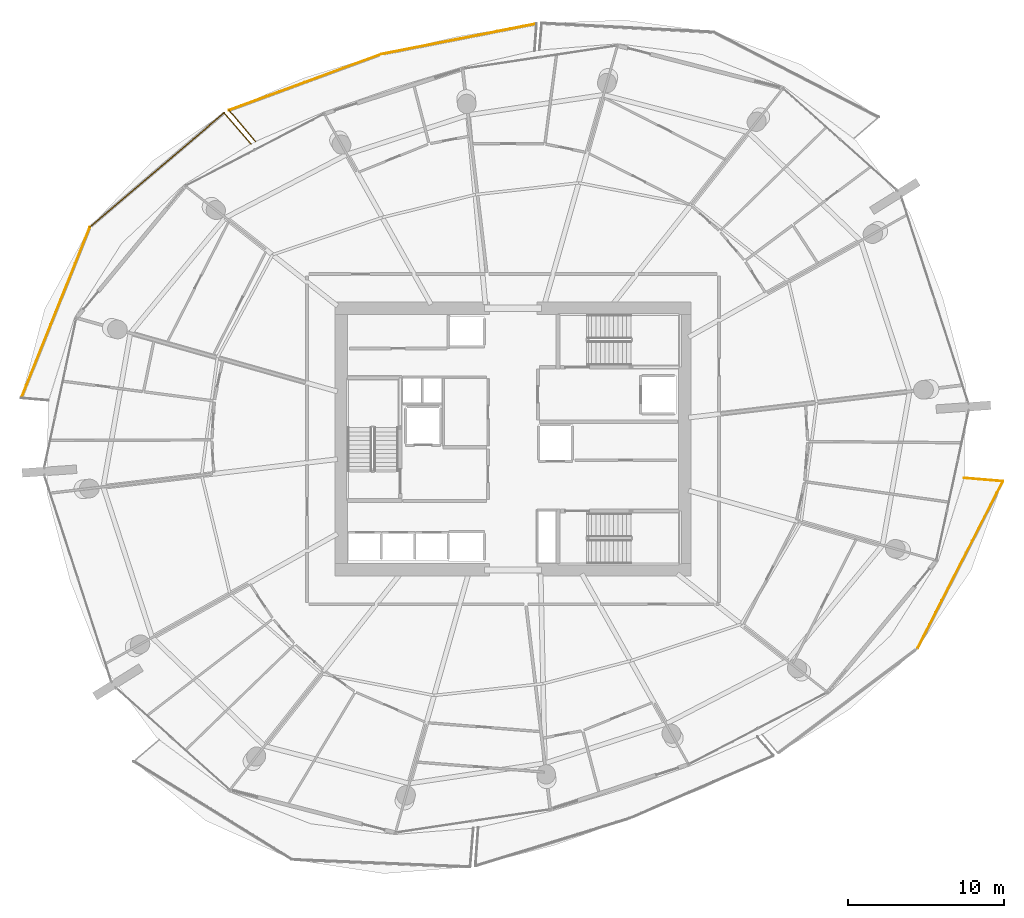
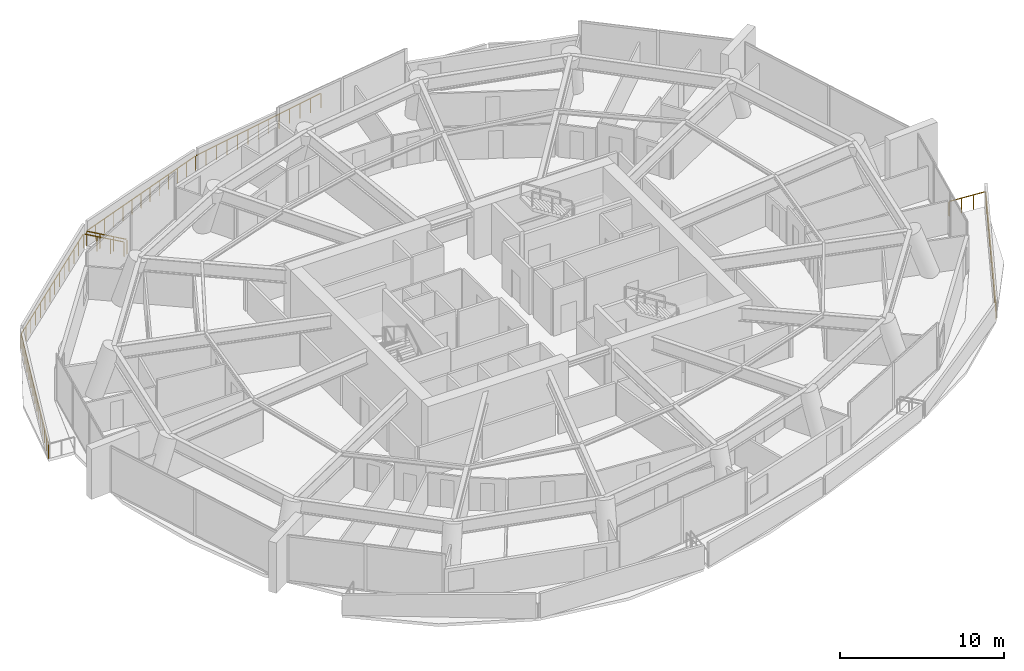
# One storey, part 21 of 23: 8 railings.
"""IFC4 building model written with IfcOpenShell, lengths in metres."""

from ifc_helpers import new_model, si_unit, direction, frame, origin, origin_2d, place, context, subcontext, project, spatial, rectangle, extrude, material, type_object, element, save


model = new_model("IFC4")

# Units and contexts
model_context = context("Model", 3, precision=1e-05, world=origin(), true_north=direction((0.0, 1.0)))
body_context = subcontext(model_context, "Body", "Model", "MODEL_VIEW")
ifc_project = project(units=[si_unit("LENGTHUNIT", "METRE"), si_unit("AREAUNIT", "SQUARE_METRE"), si_unit("VOLUMEUNIT", "CUBIC_METRE"), si_unit("PLANEANGLEUNIT", "RADIAN"), si_unit("MASSUNIT", "GRAM", prefix="KILO")], contexts=[model_context])

# Site, building, storey
site_placement = place(None, origin())
site = spatial("IfcSite", under=ifc_project, at=site_placement, CompositionType="ELEMENT")
building_placement = place(site_placement, origin())
building = spatial("IfcBuilding", under=site, at=building_placement, Name="Kazma Halo Residences", CompositionType="ELEMENT")
storey_placement = place(building_placement, frame((0.0, 0.0, 112.64990234375)))
storey = spatial("IfcBuildingStorey", under=building, at=storey_placement, Name="L28", CompositionType="ELEMENT", Elevation=112.64990234375)

# Railings
ifc_material = material(Name="Aluminium AW-6063 T6 Brushed Cap Rail", Category="aluminium")
railing_type = type_object("IfcRailingType", Name="RLG-BAL-CAP-1120", PredefinedType="BALUSTRADE", material=ifc_material)
railing_1_placement = place(storey_placement, frame((49.936279296875, 68.685546875, 0.0)))
element("IfcRailing", 1, at=railing_1_placement, inside=storey, type_object=railing_type, Name="L28 NNW wave balcony guard 2", PredefinedType="BALUSTRADE", context=body_context, shape_type="SweptSolid", body=[
    extrude(rectangle(XDim=0.050048828125, YDim=0.050048828125, at=origin_2d()), frame((-0.041748046875, -0.00830078125, 1.09521484375), z_axis=(-0.981283048261, -0.192570971838, 0.0), x_axis=(0.192570971838, -0.981283048261, 0.0)), (0.0, 0.0, 1.0), 10.076416015625),
    extrude(rectangle(XDim=0.0400390625, YDim=0.0400390625, at=origin_2d()), origin(), (0.0, 0.0, 1.0), 1.05810546875),
    extrude(rectangle(XDim=0.0400390625, YDim=0.0400390625, at=origin_2d()), frame((-0.8310546875, -0.1630859375, 0.0)), (0.0, 0.0, 1.0), 1.05810546875),
    extrude(rectangle(XDim=0.0400390625, YDim=0.0400390625, at=origin_2d()), frame((-1.661865234375, -0.326171875, 0.0)), (0.0, 0.0, 1.0), 1.05810546875),
    extrude(rectangle(XDim=0.0400390625, YDim=0.0400390625, at=origin_2d()), frame((-2.49267578125, -0.4892578125, 0.0)), (0.0, 0.0, 1.0), 1.05810546875),
    extrude(rectangle(XDim=0.0400390625, YDim=0.0400390625, at=origin_2d()), frame((-3.32373046875, -0.65234375, 0.0)), (0.0, 0.0, 1.0), 1.05810546875),
    extrude(rectangle(XDim=0.0400390625, YDim=0.0400390625, at=origin_2d()), frame((-4.15478515625, -0.8154296875, 0.0)), (0.0, 0.0, 1.0), 1.05810546875),
    extrude(rectangle(XDim=0.0400390625, YDim=0.0400390625, at=origin_2d()), frame((-4.985595703125, -0.978515625, 0.0)), (0.0, 0.0, 1.0), 1.05810546875),
    extrude(rectangle(XDim=0.0400390625, YDim=0.0400390625, at=origin_2d()), frame((-5.81640625, -1.141357421875, 0.0)), (0.0, 0.0, 1.0), 1.05810546875),
    extrude(rectangle(XDim=0.0400390625, YDim=0.0400390625, at=origin_2d()), frame((-6.6474609375, -1.304443359375, 0.0)), (0.0, 0.0, 1.0), 1.05810546875),
    extrude(rectangle(XDim=0.0400390625, YDim=0.0400390625, at=origin_2d()), frame((-7.478515625, -1.467529296875, 0.0)), (0.0, 0.0, 1.0), 1.05810546875),
    extrude(rectangle(XDim=0.0400390625, YDim=0.0400390625, at=origin_2d()), frame((-8.309326171875, -1.630615234375, 0.0)), (0.0, 0.0, 1.0), 1.05810546875),
    extrude(rectangle(XDim=0.0400390625, YDim=0.0400390625, at=origin_2d()), frame((-9.14013671875, -1.793701171875, 0.0)), (0.0, 0.0, 1.0), 1.05810546875),
    extrude(rectangle(XDim=0.0400390625, YDim=0.0400390625, at=origin_2d()), frame((-9.97119140625, -1.956787109375, 0.0)), (0.0, 0.0, 1.0), 1.05810546875),
])
railing_2_placement = place(storey_placement, frame((39.965087890625, 66.728759765625, 0.0)))
element("IfcRailing", 2, at=railing_2_placement, inside=storey, type_object=railing_type, Name="L28 NNW wave balcony guard 3", PredefinedType="BALUSTRADE", context=body_context, shape_type="SweptSolid", body=[
    extrude(rectangle(XDim=0.050048828125, YDim=0.050048828125, at=origin_2d()), frame((-0.0400390625, -0.0146484375, 1.09521484375), z_axis=(-0.938355108391, -0.34567280853, 0.0), x_axis=(0.34567280853, -0.938355108391, 0.0)), (0.0, 0.0, 1.0), 10.34228515625),
    extrude(rectangle(XDim=0.0400390625, YDim=0.0400390625, at=origin_2d()), origin(), (0.0, 0.0, 1.0), 1.05810546875),
    extrude(rectangle(XDim=0.0400390625, YDim=0.0400390625, at=origin_2d()), frame((-0.8154296875, -0.30029296875, 0.0)), (0.0, 0.0, 1.0), 1.05810546875),
    extrude(rectangle(XDim=0.0400390625, YDim=0.0400390625, at=origin_2d()), frame((-1.630859375, -0.600830078125, 0.0)), (0.0, 0.0, 1.0), 1.05810546875),
    extrude(rectangle(XDim=0.0400390625, YDim=0.0400390625, at=origin_2d()), frame((-2.4462890625, -0.901123046875, 0.0)), (0.0, 0.0, 1.0), 1.05810546875),
    extrude(rectangle(XDim=0.0400390625, YDim=0.0400390625, at=origin_2d()), frame((-3.261474609375, -1.201416015625, 0.0)), (0.0, 0.0, 1.0), 1.05810546875),
    extrude(rectangle(XDim=0.0400390625, YDim=0.0400390625, at=origin_2d()), frame((-4.076904296875, -1.501953125, 0.0)), (0.0, 0.0, 1.0), 1.05810546875),
    extrude(rectangle(XDim=0.0400390625, YDim=0.0400390625, at=origin_2d()), frame((-4.892333984375, -1.80224609375, 0.0)), (0.0, 0.0, 1.0), 1.05810546875),
    extrude(rectangle(XDim=0.0400390625, YDim=0.0400390625, at=origin_2d()), frame((-5.707763671875, -2.1025390625, 0.0)), (0.0, 0.0, 1.0), 1.05810546875),
    extrude(rectangle(XDim=0.0400390625, YDim=0.0400390625, at=origin_2d()), frame((-6.523193359375, -2.403076171875, 0.0)), (0.0, 0.0, 1.0), 1.05810546875),
    extrude(rectangle(XDim=0.0400390625, YDim=0.0400390625, at=origin_2d()), frame((-7.33837890625, -2.703369140625, 0.0)), (0.0, 0.0, 1.0), 1.05810546875),
    extrude(rectangle(XDim=0.0400390625, YDim=0.0400390625, at=origin_2d()), frame((-8.15380859375, -3.003662109375, 0.0)), (0.0, 0.0, 1.0), 1.05810546875),
    extrude(rectangle(XDim=0.0400390625, YDim=0.0400390625, at=origin_2d()), frame((-8.96923828125, -3.30419921875, 0.0)), (0.0, 0.0, 1.0), 1.05810546875),
    extrude(rectangle(XDim=0.0400390625, YDim=0.0400390625, at=origin_2d()), frame((-9.78466796875, -3.6044921875, 0.0)), (0.0, 0.0, 1.0), 1.05810546875),
])
railing_3_placement = place(storey_placement, frame((30.180419921875, 63.124267578125, 0.0)))
element("IfcRailing", 3, at=railing_3_placement, inside=storey, type_object=railing_type, Name="L28 NNW wave balcony guard 4", PredefinedType="BALUSTRADE", context=body_context, shape_type="SweptSolid", body=[
    extrude(rectangle(XDim=0.050048828125, YDim=0.050048828125, at=origin_2d()), frame((0.02734375, -0.032470703125, 1.09521484375), z_axis=(0.644719824493, -0.76441896098, 0.0), x_axis=(0.76441896098, 0.644719824493, 0.0)), (0.0, 0.0, 1.0), 2.539794921875),
    extrude(rectangle(XDim=0.0400390625, YDim=0.0400390625, at=origin_2d()), origin(), (0.0, 0.0, 1.0), 1.05810546875),
    extrude(rectangle(XDim=0.0400390625, YDim=0.0400390625, at=origin_2d()), frame((0.564208984375, -0.6689453125, 0.0)), (0.0, 0.0, 1.0), 1.05810546875),
    extrude(rectangle(XDim=0.0400390625, YDim=0.0400390625, at=origin_2d()), frame((1.128173828125, -1.337646484375, 0.0)), (0.0, 0.0, 1.0), 1.05810546875),
    extrude(rectangle(XDim=0.0400390625, YDim=0.0400390625, at=origin_2d()), frame((1.6923828125, -2.006591796875, 0.0)), (0.0, 0.0, 1.0), 1.05810546875),
])
railing_4_placement = place(storey_placement, frame((31.59423828125, 60.972900390625, 0.0)))
element("IfcRailing", 4, at=railing_4_placement, inside=storey, type_object=railing_type, Name="L28 NW wave balcony guard 1", PredefinedType="BALUSTRADE", context=body_context, shape_type="SweptSolid", body=[
    extrude(rectangle(XDim=0.050048828125, YDim=0.050048828125, at=origin_2d()), frame((-0.02783203125, 0.0322265625, 1.09521484375), z_axis=(-0.65409594454, 0.756411591223, 0.0), x_axis=(-0.756411591223, -0.65409594454, 0.0)), (0.0, 0.0, 1.0), 2.54443359375),
    extrude(rectangle(XDim=0.0400390625, YDim=0.0400390625, at=origin_2d()), origin(), (0.0, 0.0, 1.0), 1.05810546875),
    extrude(rectangle(XDim=0.0400390625, YDim=0.0400390625, at=origin_2d()), frame((-0.5732421875, 0.6630859375, 0.0)), (0.0, 0.0, 1.0), 1.05810546875),
    extrude(rectangle(XDim=0.0400390625, YDim=0.0400390625, at=origin_2d()), frame((-1.146728515625, 1.325927734375, 0.0)), (0.0, 0.0, 1.0), 1.05810546875),
    extrude(rectangle(XDim=0.0400390625, YDim=0.0400390625, at=origin_2d()), frame((-1.719970703125, 1.989013671875, 0.0)), (0.0, 0.0, 1.0), 1.05810546875),
])
railing_5_placement = place(storey_placement, frame((29.874267578125, 62.9619140625, 0.0)))
element("IfcRailing", 5, at=railing_5_placement, inside=storey, type_object=railing_type, Name="L28 NW wave balcony guard 2", PredefinedType="BALUSTRADE", context=body_context, shape_type="SweptSolid", body=[
    extrude(rectangle(XDim=0.050048828125, YDim=0.050048828125, at=origin_2d()), frame((-0.032470703125, -0.027587890625, 1.09521484375), z_axis=(-0.761849375579, -0.647754219539, 0.0), x_axis=(0.647754219539, -0.761849375579, 0.0)), (0.0, 0.0, 1.0), 11.234375),
    extrude(rectangle(XDim=0.0400390625, YDim=0.0400390625, at=origin_2d()), origin(), (0.0, 0.0, 1.0), 1.05810546875),
    extrude(rectangle(XDim=0.0400390625, YDim=0.0400390625, at=origin_2d()), frame((-0.663330078125, -0.56396484375, 0.0)), (0.0, 0.0, 1.0), 1.05810546875),
    extrude(rectangle(XDim=0.0400390625, YDim=0.0400390625, at=origin_2d()), frame((-1.32666015625, -1.1279296875, 0.0)), (0.0, 0.0, 1.0), 1.05810546875),
    extrude(rectangle(XDim=0.0400390625, YDim=0.0400390625, at=origin_2d()), frame((-1.989990234375, -1.692138671875, 0.0)), (0.0, 0.0, 1.0), 1.05810546875),
    extrude(rectangle(XDim=0.0400390625, YDim=0.0400390625, at=origin_2d()), frame((-2.653564453125, -2.256103515625, 0.0)), (0.0, 0.0, 1.0), 1.05810546875),
    extrude(rectangle(XDim=0.0400390625, YDim=0.0400390625, at=origin_2d()), frame((-3.31689453125, -2.820068359375, 0.0)), (0.0, 0.0, 1.0), 1.05810546875),
    extrude(rectangle(XDim=0.0400390625, YDim=0.0400390625, at=origin_2d()), frame((-3.980224609375, -3.384033203125, 0.0)), (0.0, 0.0, 1.0), 1.05810546875),
    extrude(rectangle(XDim=0.0400390625, YDim=0.0400390625, at=origin_2d()), frame((-4.6435546875, -3.9482421875, 0.0)), (0.0, 0.0, 1.0), 1.05810546875),
    extrude(rectangle(XDim=0.0400390625, YDim=0.0400390625, at=origin_2d()), frame((-5.306884765625, -4.51220703125, 0.0)), (0.0, 0.0, 1.0), 1.05810546875),
    extrude(rectangle(XDim=0.0400390625, YDim=0.0400390625, at=origin_2d()), frame((-5.97021484375, -5.076171875, 0.0)), (0.0, 0.0, 1.0), 1.05810546875),
    extrude(rectangle(XDim=0.0400390625, YDim=0.0400390625, at=origin_2d()), frame((-6.6337890625, -5.64013671875, 0.0)), (0.0, 0.0, 1.0), 1.05810546875),
    extrude(rectangle(XDim=0.0400390625, YDim=0.0400390625, at=origin_2d()), frame((-7.297119140625, -6.204345703125, 0.0)), (0.0, 0.0, 1.0), 1.05810546875),
    extrude(rectangle(XDim=0.0400390625, YDim=0.0400390625, at=origin_2d()), frame((-7.96044921875, -6.768310546875, 0.0)), (0.0, 0.0, 1.0), 1.05810546875),
    extrude(rectangle(XDim=0.0400390625, YDim=0.0400390625, at=origin_2d()), frame((-8.623779296875, -7.332275390625, 0.0)), (0.0, 0.0, 1.0), 1.05810546875),
])
railing_6_placement = place(storey_placement, frame((21.25048828125, 55.629638671875, 0.0)))
element("IfcRailing", 6, at=railing_6_placement, inside=storey, type_object=railing_type, Name="L28 NW wave balcony guard 3", PredefinedType="BALUSTRADE", context=body_context, shape_type="SweptSolid", body=[
    extrude(rectangle(XDim=0.050048828125, YDim=0.050048828125, at=origin_2d()), frame((-0.015869140625, -0.03955078125, 1.09521484375), z_axis=(-0.37254246046, -0.928015148128, 0.0), x_axis=(0.928015148128, -0.37254246046, 0.0)), (0.0, 0.0, 1.0), 11.7529296875),
    extrude(rectangle(XDim=0.0400390625, YDim=0.0400390625, at=origin_2d()), origin(), (0.0, 0.0, 1.0), 1.05810546875),
    extrude(rectangle(XDim=0.0400390625, YDim=0.0400390625, at=origin_2d()), frame((-0.31494140625, -0.78466796875, 0.0)), (0.0, 0.0, 1.0), 1.05810546875),
    extrude(rectangle(XDim=0.0400390625, YDim=0.0400390625, at=origin_2d()), frame((-0.630126953125, -1.5693359375, 0.0)), (0.0, 0.0, 1.0), 1.05810546875),
    extrude(rectangle(XDim=0.0400390625, YDim=0.0400390625, at=origin_2d()), frame((-0.945068359375, -2.35400390625, 0.0)), (0.0, 0.0, 1.0), 1.05810546875),
    extrude(rectangle(XDim=0.0400390625, YDim=0.0400390625, at=origin_2d()), frame((-1.260009765625, -3.138916015625, 0.0)), (0.0, 0.0, 1.0), 1.05810546875),
    extrude(rectangle(XDim=0.0400390625, YDim=0.0400390625, at=origin_2d()), frame((-1.574951171875, -3.923583984375, 0.0)), (0.0, 0.0, 1.0), 1.05810546875),
    extrude(rectangle(XDim=0.0400390625, YDim=0.0400390625, at=origin_2d()), frame((-1.89013671875, -4.708251953125, 0.0)), (0.0, 0.0, 1.0), 1.05810546875),
    extrude(rectangle(XDim=0.0400390625, YDim=0.0400390625, at=origin_2d()), frame((-2.205078125, -5.492919921875, 0.0)), (0.0, 0.0, 1.0), 1.05810546875),
    extrude(rectangle(XDim=0.0400390625, YDim=0.0400390625, at=origin_2d()), frame((-2.52001953125, -6.277587890625, 0.0)), (0.0, 0.0, 1.0), 1.05810546875),
    extrude(rectangle(XDim=0.0400390625, YDim=0.0400390625, at=origin_2d()), frame((-2.835205078125, -7.062255859375, 0.0)), (0.0, 0.0, 1.0), 1.05810546875),
    extrude(rectangle(XDim=0.0400390625, YDim=0.0400390625, at=origin_2d()), frame((-3.150146484375, -7.846923828125, 0.0)), (0.0, 0.0, 1.0), 1.05810546875),
    extrude(rectangle(XDim=0.0400390625, YDim=0.0400390625, at=origin_2d()), frame((-3.465087890625, -8.6318359375, 0.0)), (0.0, 0.0, 1.0), 1.05810546875),
    extrude(rectangle(XDim=0.0400390625, YDim=0.0400390625, at=origin_2d()), frame((-3.780029296875, -9.41650390625, 0.0)), (0.0, 0.0, 1.0), 1.05810546875),
    extrude(rectangle(XDim=0.0400390625, YDim=0.0400390625, at=origin_2d()), frame((-4.09521484375, -10.201171875, 0.0)), (0.0, 0.0, 1.0), 1.05810546875),
    extrude(rectangle(XDim=0.0400390625, YDim=0.0400390625, at=origin_2d()), frame((-4.41015625, -10.98583984375, 0.0)), (0.0, 0.0, 1.0), 1.05810546875),
])
railing_7_placement = place(storey_placement, frame((74.39501953125, 28.551025390625, 0.0)))
element("IfcRailing", 7, at=railing_7_placement, inside=storey, type_object=railing_type, Name="L28 SE wave balcony guard 3", PredefinedType="BALUSTRADE", context=body_context, shape_type="SweptSolid", body=[
    extrude(rectangle(XDim=0.050048828125, YDim=0.050048828125, at=origin_2d()), frame((0.019287109375, 0.037841796875, 1.09521484375), z_axis=(0.454622078646, 0.890684436603, 0.0), x_axis=(-0.890684436603, 0.454622078646, 0.0)), (0.0, 0.0, 1.0), 11.9775390625),
    extrude(rectangle(XDim=0.0400390625, YDim=0.0400390625, at=origin_2d()), origin(), (0.0, 0.0, 1.0), 1.05810546875),
    extrude(rectangle(XDim=0.0400390625, YDim=0.0400390625, at=origin_2d()), frame((0.3916015625, 0.767333984375, 0.0)), (0.0, 0.0, 1.0), 1.05810546875),
    extrude(rectangle(XDim=0.0400390625, YDim=0.0400390625, at=origin_2d()), frame((0.783447265625, 1.534912109375, 0.0)), (0.0, 0.0, 1.0), 1.05810546875),
    extrude(rectangle(XDim=0.0400390625, YDim=0.0400390625, at=origin_2d()), frame((1.175048828125, 2.30224609375, 0.0)), (0.0, 0.0, 1.0), 1.05810546875),
    extrude(rectangle(XDim=0.0400390625, YDim=0.0400390625, at=origin_2d()), frame((1.56689453125, 3.069580078125, 0.0)), (0.0, 0.0, 1.0), 1.05810546875),
    extrude(rectangle(XDim=0.0400390625, YDim=0.0400390625, at=origin_2d()), frame((1.95849609375, 3.837158203125, 0.0)), (0.0, 0.0, 1.0), 1.05810546875),
    extrude(rectangle(XDim=0.0400390625, YDim=0.0400390625, at=origin_2d()), frame((2.350341796875, 4.6044921875, 0.0)), (0.0, 0.0, 1.0), 1.05810546875),
    extrude(rectangle(XDim=0.0400390625, YDim=0.0400390625, at=origin_2d()), frame((2.741943359375, 5.3720703125, 0.0)), (0.0, 0.0, 1.0), 1.05810546875),
    extrude(rectangle(XDim=0.0400390625, YDim=0.0400390625, at=origin_2d()), frame((3.133544921875, 6.139404296875, 0.0)), (0.0, 0.0, 1.0), 1.05810546875),
    extrude(rectangle(XDim=0.0400390625, YDim=0.0400390625, at=origin_2d()), frame((3.525390625, 6.90673828125, 0.0)), (0.0, 0.0, 1.0), 1.05810546875),
    extrude(rectangle(XDim=0.0400390625, YDim=0.0400390625, at=origin_2d()), frame((3.9169921875, 7.67431640625, 0.0)), (0.0, 0.0, 1.0), 1.05810546875),
    extrude(rectangle(XDim=0.0400390625, YDim=0.0400390625, at=origin_2d()), frame((4.308837890625, 8.441650390625, 0.0)), (0.0, 0.0, 1.0), 1.05810546875),
    extrude(rectangle(XDim=0.0400390625, YDim=0.0400390625, at=origin_2d()), frame((4.700439453125, 9.208984375, 0.0)), (0.0, 0.0, 1.0), 1.05810546875),
    extrude(rectangle(XDim=0.0400390625, YDim=0.0400390625, at=origin_2d()), frame((5.09228515625, 9.9765625, 0.0)), (0.0, 0.0, 1.0), 1.05810546875),
    extrude(rectangle(XDim=0.0400390625, YDim=0.0400390625, at=origin_2d()), frame((5.48388671875, 10.743896484375, 0.0)), (0.0, 0.0, 1.0), 1.05810546875),
])
railing_8_placement = place(storey_placement, frame((79.87890625, 39.294921875, 0.0)))
element("IfcRailing", 8, at=railing_8_placement, inside=storey, type_object=railing_type, Name="L28 SE wave balcony guard 4", PredefinedType="BALUSTRADE", context=body_context, shape_type="SweptSolid", body=[
    extrude(rectangle(XDim=0.050048828125, YDim=0.050048828125, at=origin_2d()), frame((-0.04248046875, 0.003662109375, 1.09521484375), z_axis=(-0.996412851629, 0.084625227375, 0.0), x_axis=(-0.084625227375, -0.996412851629, 0.0)), (0.0, 0.0, 1.0), 2.39599609375),
    extrude(rectangle(XDim=0.0400390625, YDim=0.0400390625, at=origin_2d()), origin(), (0.0, 0.0, 1.0), 1.05810546875),
    extrude(rectangle(XDim=0.0400390625, YDim=0.0400390625, at=origin_2d()), frame((-0.823974609375, 0.070068359375, 0.0)), (0.0, 0.0, 1.0), 1.05810546875),
    extrude(rectangle(XDim=0.0400390625, YDim=0.0400390625, at=origin_2d()), frame((-1.648193359375, 0.139892578125, 0.0)), (0.0, 0.0, 1.0), 1.05810546875),
    extrude(rectangle(XDim=0.0400390625, YDim=0.0400390625, at=origin_2d()), frame((-2.47216796875, 0.2099609375, 0.0)), (0.0, 0.0, 1.0), 1.05810546875),
])

save(model, "model.ifc")
